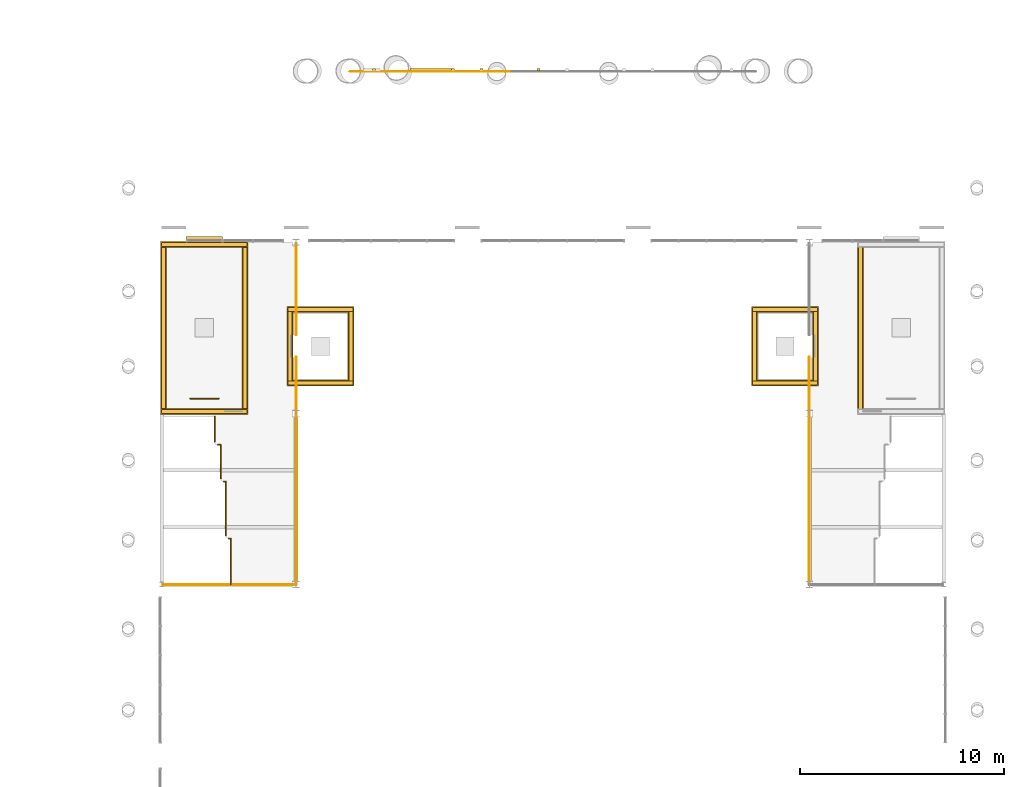
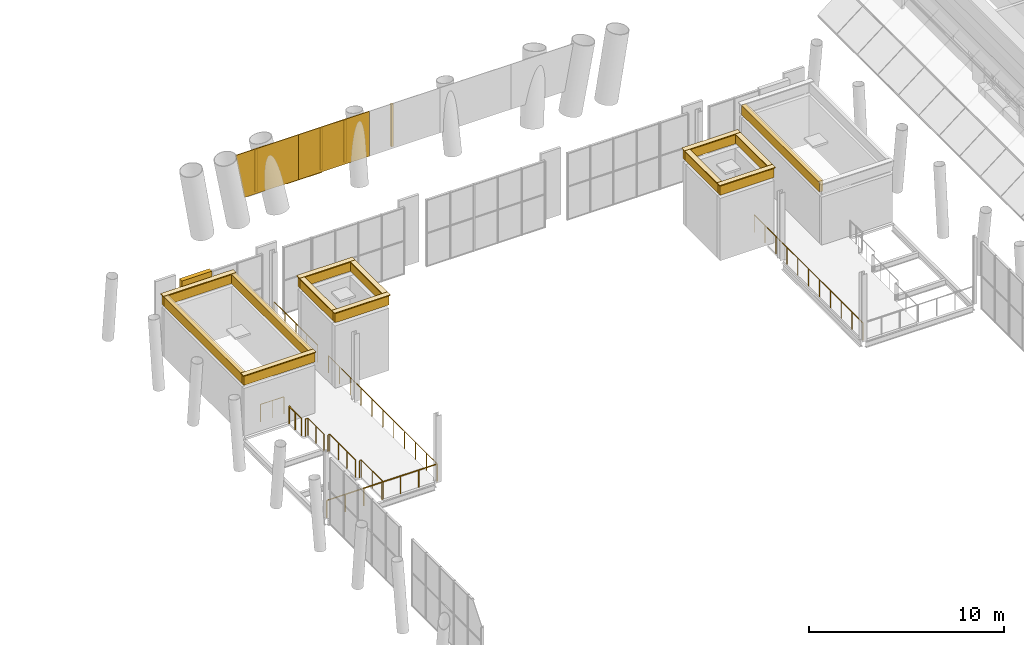
# One storey, part 66 of 76: 34 coverings, 9 railings.
"""IFC4 building model written with IfcOpenShell, lengths in metres."""

from ifc_helpers import new_model, si_unit, direction, frame, origin, origin_2d, place, context, subcontext, project, spatial, polyline, rectangle, circle, outline, extrude, material, layer, layer_set, material_profile, profile_set, type_object, element, save


model = new_model("IFC4")

# Units and contexts
model_context = context("Model", 3, precision=1e-05, world=origin(), true_north=direction((0.0, 1.0)))
body_context = subcontext(model_context, "Body", "Model", "MODEL_VIEW")
ifc_project = project(units=[si_unit("LENGTHUNIT", "METRE"), si_unit("AREAUNIT", "SQUARE_METRE"), si_unit("VOLUMEUNIT", "CUBIC_METRE"), si_unit("PLANEANGLEUNIT", "RADIAN"), si_unit("MASSUNIT", "GRAM", prefix="KILO")], contexts=[model_context])

# Site, building, storey
site_placement = place(None, origin())
site = spatial("IfcSite", under=ifc_project, at=site_placement, CompositionType="ELEMENT")
building_placement = place(site_placement, origin())
building = spatial("IfcBuilding", under=site, at=building_placement, Name="Sava Quay Ferry Terminal", CompositionType="ELEMENT")
storey_placement = place(building_placement, frame((0.0, 0.0, 10.800048828125)))
storey = spatial("IfcBuildingStorey", under=building, at=storey_placement, Name="L02", CompositionType="ELEMENT", Elevation=10.800048828125)

# Covering
ifc_material_1 = material(Name="Copper patinated")
ifc_layer_1 = layer(ifc_material_1, 0.25)
ifc_layer_set_1 = layer_set([ifc_layer_1], Name="Copper patinated")
covering_type_1 = type_object("IfcCoveringType", Name="Copper spandrel panel 250", PredefinedType="CLADDING", material=ifc_layer_set_1)
covering_1_placement = place(storey_placement, frame((45.0, 100.9599609375, 3.449951171875), z_axis=(0.0, 0.0, 1.0), x_axis=(1.0, 0.0, 0.0)))
element("IfcCovering", 1, at=covering_1_placement, inside=storey, type_object=covering_type_1, Name="Spandrel panel D-N", PredefinedType="CLADDING", context=body_context, shape_type="SweptSolid", body=[
    extrude(outline(polyline([(0.0, 0.0), (1.780029296875, 0.0), (1.780029296875, 0.75), (0.0, 0.75), (0.0, 0.0)])), frame((0.0, 0.125, 0.0), z_axis=(0.0, -1.0, 0.0), x_axis=(1.0, 0.0, 0.0)), (0.0, 0.0, 1.0), 0.25),
])

# Railings
ifc_material_2 = material(Name="Steel S355", Category="steel")
railing_type = type_object("IfcRailingType", Name="Guard 1100", PredefinedType="GUARDRAIL", material=ifc_material_2)
railing_1_placement = place(storey_placement, frame((45.199951171875, 93.1298828125, 0.0)))
element("IfcRailing", 2, at=railing_1_placement, inside=storey, type_object=railing_type, Name="Guard at stair well ST-D5 L02", PredefinedType="GUARDRAIL", context=body_context, shape_type="SweptSolid", body=[
    extrude(circle(Radius=0.02392578125, at=origin_2d()), frame((0.0, 0.0, 1.076171875), z_axis=(1.0, 0.0, 0.0), x_axis=(0.0, 1.0, 0.0)), (0.0, 0.0, 1.0), 1.400146484375),
    extrude(circle(Radius=0.02099609375, at=origin_2d()), origin(), (0.0, 0.0, 1.0), 1.052001953125),
    extrude(circle(Radius=0.02099609375, at=origin_2d()), frame((0.7001953125, 0.0, 0.0)), (0.0, 0.0, 1.0), 1.052001953125),
    extrude(circle(Radius=0.02099609375, at=origin_2d()), frame((1.400146484375, 0.0, 0.0)), (0.0, 0.0, 1.0), 1.052001953125),
])
railing_2_placement = place(storey_placement, frame((43.860107421875, 84.0, 0.0)))
element("IfcRailing", 3, at=railing_2_placement, inside=storey, type_object=railing_type, Name="Mezzanine guard", PredefinedType="GUARDRAIL", context=body_context, shape_type="SweptSolid", body=[
    extrude(circle(Radius=0.02392578125, at=origin_2d()), frame((0.0, 0.0, 1.076171875), z_axis=(1.0, 0.0, 0.0), x_axis=(0.0, 1.0, 0.0)), (0.0, 0.0, 1.0), 6.539794921875),
    extrude(circle(Radius=0.02099609375, at=origin_2d()), origin(), (0.0, 0.0, 1.0), 1.052001953125),
    extrude(circle(Radius=0.02099609375, at=origin_2d()), frame((1.08984375, 0.0, 0.0)), (0.0, 0.0, 1.0), 1.052001953125),
    extrude(circle(Radius=0.02099609375, at=origin_2d()), frame((2.179931640625, 0.0, 0.0)), (0.0, 0.0, 1.0), 1.052001953125),
    extrude(circle(Radius=0.02099609375, at=origin_2d()), frame((3.27001953125, 0.0, 0.0)), (0.0, 0.0, 1.0), 1.052001953125),
    extrude(circle(Radius=0.02099609375, at=origin_2d()), frame((4.35986328125, 0.0, 0.0)), (0.0, 0.0, 1.0), 1.052001953125),
    extrude(circle(Radius=0.02099609375, at=origin_2d()), frame((5.44970703125, 0.0, 0.0)), (0.0, 0.0, 1.0), 1.052001953125),
    extrude(circle(Radius=0.02099609375, at=origin_2d()), frame((6.539794921875, 0.0, 0.0)), (0.0, 0.0, 1.0), 1.052001953125),
])
railing_3_placement = place(storey_placement, frame((50.39990234375, 84.0, 0.0)))
element("IfcRailing", 4, at=railing_3_placement, inside=storey, type_object=railing_type, Name="Mezzanine guard", PredefinedType="GUARDRAIL", context=body_context, shape_type="SweptSolid", body=[
    extrude(circle(Radius=0.02392578125, at=origin_2d()), frame((0.0, 0.0, 1.076171875), z_axis=(0.0, 1.0, 0.0), x_axis=(-1.0, 0.0, 0.0)), (0.0, 0.0, 1.0), 11.14990234375),
    extrude(circle(Radius=0.02099609375, at=origin_2d()), origin(), (0.0, 0.0, 1.0), 1.052001953125),
    extrude(circle(Radius=0.02099609375, at=origin_2d()), frame((0.0, 1.114990234375, 0.0)), (0.0, 0.0, 1.0), 1.052001953125),
    extrude(circle(Radius=0.02099609375, at=origin_2d()), frame((0.0, 2.22998046875, 0.0)), (0.0, 0.0, 1.0), 1.052001953125),
    extrude(circle(Radius=0.02099609375, at=origin_2d()), frame((0.0, 3.344970703125, 0.0)), (0.0, 0.0, 1.0), 1.052001953125),
    extrude(circle(Radius=0.02099609375, at=origin_2d()), frame((0.0, 4.4599609375, 0.0)), (0.0, 0.0, 1.0), 1.052001953125),
    extrude(circle(Radius=0.02099609375, at=origin_2d()), frame((0.0, 5.574951171875, 0.0)), (0.0, 0.0, 1.0), 1.052001953125),
    extrude(circle(Radius=0.02099609375, at=origin_2d()), frame((0.0, 6.68994140625, 0.0)), (0.0, 0.0, 1.0), 1.052001953125),
    extrude(circle(Radius=0.02099609375, at=origin_2d()), frame((0.0, 7.804931640625, 0.0)), (0.0, 0.0, 1.0), 1.052001953125),
    extrude(circle(Radius=0.02099609375, at=origin_2d()), frame((0.0, 8.919921875, 0.0)), (0.0, 0.0, 1.0), 1.052001953125),
    extrude(circle(Radius=0.02099609375, at=origin_2d()), frame((0.0, 10.034912109375, 0.0)), (0.0, 0.0, 1.0), 1.052001953125),
    extrude(circle(Radius=0.02099609375, at=origin_2d()), frame((0.0, 11.14990234375, 0.0)), (0.0, 0.0, 1.0), 1.052001953125),
])
railing_4_placement = place(storey_placement, frame((50.39990234375, 96.25, 0.0)))
element("IfcRailing", 5, at=railing_4_placement, inside=storey, type_object=railing_type, Name="Mezzanine guard", PredefinedType="GUARDRAIL", context=body_context, shape_type="SweptSolid", body=[
    extrude(circle(Radius=0.02392578125, at=origin_2d()), frame((0.0, 0.0, 1.076171875), z_axis=(0.0, 1.0, 0.0), x_axis=(-1.0, 0.0, 0.0)), (0.0, 0.0, 1.0), 4.489990234375),
    extrude(circle(Radius=0.02099609375, at=origin_2d()), origin(), (0.0, 0.0, 1.0), 1.052001953125),
    extrude(circle(Radius=0.02099609375, at=origin_2d()), frame((0.0, 1.12255859375, 0.0)), (0.0, 0.0, 1.0), 1.052001953125),
    extrude(circle(Radius=0.02099609375, at=origin_2d()), frame((0.0, 2.2451171875, 0.0)), (0.0, 0.0, 1.0), 1.052001953125),
    extrude(circle(Radius=0.02099609375, at=origin_2d()), frame((0.0, 3.367431640625, 0.0)), (0.0, 0.0, 1.0), 1.052001953125),
    extrude(circle(Radius=0.02099609375, at=origin_2d()), frame((0.0, 4.489990234375, 0.0)), (0.0, 0.0, 1.0), 1.052001953125),
])
railing_5_placement = place(storey_placement, frame((75.60009765625, 84.0, 0.0)))
element("IfcRailing", 6, at=railing_5_placement, inside=storey, type_object=railing_type, Name="Mezzanine guard", PredefinedType="GUARDRAIL", context=body_context, shape_type="SweptSolid", body=[
    extrude(circle(Radius=0.02392578125, at=origin_2d()), frame((0.0, 0.0, 1.076171875), z_axis=(0.0, 1.0, 0.0), x_axis=(-1.0, 0.0, 0.0)), (0.0, 0.0, 1.0), 11.14990234375),
    extrude(circle(Radius=0.02099609375, at=origin_2d()), origin(), (0.0, 0.0, 1.0), 1.052001953125),
    extrude(circle(Radius=0.02099609375, at=origin_2d()), frame((0.0, 1.114990234375, 0.0)), (0.0, 0.0, 1.0), 1.052001953125),
    extrude(circle(Radius=0.02099609375, at=origin_2d()), frame((0.0, 2.22998046875, 0.0)), (0.0, 0.0, 1.0), 1.052001953125),
    extrude(circle(Radius=0.02099609375, at=origin_2d()), frame((0.0, 3.344970703125, 0.0)), (0.0, 0.0, 1.0), 1.052001953125),
    extrude(circle(Radius=0.02099609375, at=origin_2d()), frame((0.0, 4.4599609375, 0.0)), (0.0, 0.0, 1.0), 1.052001953125),
    extrude(circle(Radius=0.02099609375, at=origin_2d()), frame((0.0, 5.574951171875, 0.0)), (0.0, 0.0, 1.0), 1.052001953125),
    extrude(circle(Radius=0.02099609375, at=origin_2d()), frame((0.0, 6.68994140625, 0.0)), (0.0, 0.0, 1.0), 1.052001953125),
    extrude(circle(Radius=0.02099609375, at=origin_2d()), frame((0.0, 7.804931640625, 0.0)), (0.0, 0.0, 1.0), 1.052001953125),
    extrude(circle(Radius=0.02099609375, at=origin_2d()), frame((0.0, 8.919921875, 0.0)), (0.0, 0.0, 1.0), 1.052001953125),
    extrude(circle(Radius=0.02099609375, at=origin_2d()), frame((0.0, 10.034912109375, 0.0)), (0.0, 0.0, 1.0), 1.052001953125),
    extrude(circle(Radius=0.02099609375, at=origin_2d()), frame((0.0, 11.14990234375, 0.0)), (0.0, 0.0, 1.0), 1.052001953125),
])
railing_6_placement = place(storey_placement, frame((47.199951171875, 84.0, 0.0)))
element("IfcRailing", 7, at=railing_6_placement, inside=storey, type_object=railing_type, Name="Mezzanine guard", PredefinedType="GUARDRAIL", context=body_context, shape_type="SweptSolid", body=[
    extrude(circle(Radius=0.02392578125, at=origin_2d()), frame((0.0, 0.0, 1.076171875), z_axis=(0.0, 1.0, 0.0), x_axis=(-1.0, 0.0, 0.0)), (0.0, 0.0, 1.0), 2.25),
    extrude(circle(Radius=0.02392578125, at=origin_2d()), frame((0.0, 2.25, 1.076171875), z_axis=(-1.0, 0.0, 0.0), x_axis=(0.0, -1.0, 0.0)), (0.0, 0.0, 1.0), 0.099853515625),
    extrude(circle(Radius=0.02099609375, at=origin_2d()), origin(), (0.0, 0.0, 1.0), 1.052001953125),
    extrude(circle(Radius=0.02099609375, at=origin_2d()), frame((0.0, 1.125, 0.0)), (0.0, 0.0, 1.0), 1.052001953125),
    extrude(circle(Radius=0.02099609375, at=origin_2d()), frame((0.0, 2.25, 0.0)), (0.0, 0.0, 1.0), 1.052001953125),
    extrude(circle(Radius=0.02099609375, at=origin_2d()), frame((-0.099853515625, 2.25, 0.0)), (0.0, 0.0, 1.0), 1.052001953125),
])
railing_7_placement = place(storey_placement, frame((46.949951171875, 86.39990234375, 0.0)))
element("IfcRailing", 8, at=railing_7_placement, inside=storey, type_object=railing_type, Name="Mezzanine guard", PredefinedType="GUARDRAIL", context=body_context, shape_type="SweptSolid", body=[
    extrude(circle(Radius=0.02392578125, at=origin_2d()), frame((0.0, 0.0, 1.076171875), z_axis=(0.0, 1.0, 0.0), x_axis=(-1.0, 0.0, 0.0)), (0.0, 0.0, 1.0), 2.650146484375),
    extrude(circle(Radius=0.02392578125, at=origin_2d()), frame((0.0, 2.650146484375, 1.076171875), z_axis=(-1.0, 0.0, 0.0), x_axis=(0.0, -1.0, 0.0)), (0.0, 0.0, 1.0), 0.099853515625),
    extrude(circle(Radius=0.02099609375, at=origin_2d()), origin(), (0.0, 0.0, 1.0), 1.052001953125),
    extrude(circle(Radius=0.02099609375, at=origin_2d()), frame((0.0, 0.88330078125, 0.0)), (0.0, 0.0, 1.0), 1.052001953125),
    extrude(circle(Radius=0.02099609375, at=origin_2d()), frame((0.0, 1.766845703125, 0.0)), (0.0, 0.0, 1.0), 1.052001953125),
    extrude(circle(Radius=0.02099609375, at=origin_2d()), frame((0.0, 2.650146484375, 0.0)), (0.0, 0.0, 1.0), 1.052001953125),
    extrude(circle(Radius=0.02099609375, at=origin_2d()), frame((-0.099853515625, 2.650146484375, 0.0)), (0.0, 0.0, 1.0), 1.052001953125),
])
railing_8_placement = place(storey_placement, frame((46.699951171875, 89.199951171875, 0.0)))
element("IfcRailing", 9, at=railing_8_placement, inside=storey, type_object=railing_type, Name="Mezzanine guard", PredefinedType="GUARDRAIL", context=body_context, shape_type="SweptSolid", body=[
    extrude(circle(Radius=0.02392578125, at=origin_2d()), frame((0.0, 0.0, 1.076171875), z_axis=(0.0, 1.0, 0.0), x_axis=(-1.0, 0.0, 0.0)), (0.0, 0.0, 1.0), 1.650146484375),
    extrude(circle(Radius=0.02392578125, at=origin_2d()), frame((0.0, 1.650146484375, 1.076171875), z_axis=(-1.0, 0.0, 0.0), x_axis=(0.0, -1.0, 0.0)), (0.0, 0.0, 1.0), 0.14990234375),
    extrude(circle(Radius=0.02099609375, at=origin_2d()), origin(), (0.0, 0.0, 1.0), 1.052001953125),
    extrude(circle(Radius=0.02099609375, at=origin_2d()), frame((0.0, 0.8251953125, 0.0)), (0.0, 0.0, 1.0), 1.052001953125),
    extrude(circle(Radius=0.02099609375, at=origin_2d()), frame((0.0, 1.650146484375, 0.0)), (0.0, 0.0, 1.0), 1.052001953125),
    extrude(circle(Radius=0.02099609375, at=origin_2d()), frame((-0.14990234375, 1.650146484375, 0.0)), (0.0, 0.0, 1.0), 1.052001953125),
])
railing_9_placement = place(storey_placement, frame((46.39990234375, 91.0, 0.0)))
element("IfcRailing", 10, at=railing_9_placement, inside=storey, type_object=railing_type, Name="Mezzanine guard", PredefinedType="GUARDRAIL", context=body_context, shape_type="SweptSolid", body=[
    extrude(circle(Radius=0.02392578125, at=origin_2d()), frame((0.0, 0.0, 1.076171875), z_axis=(0.0, 1.0, 0.0), x_axis=(-1.0, 0.0, 0.0)), (0.0, 0.0, 1.0), 1.25),
    extrude(circle(Radius=0.02099609375, at=origin_2d()), origin(), (0.0, 0.0, 1.0), 1.052001953125),
    extrude(circle(Radius=0.02099609375, at=origin_2d()), frame((0.0, 0.625, 0.0)), (0.0, 0.0, 1.0), 1.052001953125),
    extrude(circle(Radius=0.02099609375, at=origin_2d()), frame((0.0, 1.25, 0.0)), (0.0, 0.0, 1.0), 1.052001953125),
])

# Coverings
ifc_material_3 = material(Name="Limestone Mutalj", Category="masonry")
ifc_layer_2 = layer(ifc_material_3, 0.050048828125)
ifc_layer_set_2 = layer_set([ifc_layer_2], Name="Limestone Mutalj")
covering_type_2 = type_object("IfcCoveringType", Name="Overrun coping 300", PredefinedType="MOLDING", material=ifc_layer_set_2)
for number, where, z_axis, x_axis, name in (
    (11, (45.89990234375, 92.5, 3.7998046875), (0.0, 0.0, 1.0), (1.0, 0.0, 0.0), "Overrun coping ST-D5 S"),
    (12, (45.89990234375, 100.699951171875, 3.7998046875), (0.0, 0.0, 1.0), (1.0, 0.0, 0.0), "Overrun coping ST-D5 N"),
):
    element("IfcCovering", number, at=place(storey_placement, frame(where, z_axis=z_axis, x_axis=x_axis)), inside=storey, type_object=covering_type_2, Name=name, PredefinedType="MOLDING", context=body_context, shape_type="SweptSolid", body=[
        extrude(rectangle(XDim=4.300048828125, YDim=0.300048828125, at=origin_2d()), origin(), (0.0, 0.0, 1.0), 0.050048828125),
    ])
for number, where, z_axis, x_axis, name in (
    (13, (43.89990234375, 96.60009765625, 3.7998046875), (0.0, 0.0, 1.0), (1.0, 0.0, 0.0), "Overrun coping ST-D5 W"),
    (14, (47.89990234375, 96.60009765625, 3.7998046875), (0.0, 0.0, 1.0), (1.0, 0.0, 0.0), "Overrun coping ST-D5 E"),
    (15, (78.10009765625, 96.60009765625, 3.7998046875), (0.0, 0.0, 1.0), (1.0, 0.0, 0.0), "Overrun coping ST-D6 W"),
):
    element("IfcCovering", number, at=place(storey_placement, frame(where, z_axis=z_axis, x_axis=x_axis)), inside=storey, type_object=covering_type_2, Name=name, PredefinedType="MOLDING", context=body_context, shape_type="SweptSolid", body=[
        extrude(rectangle(XDim=0.300048828125, YDim=7.89990234375, at=origin_2d()), origin(), (0.0, 0.0, 1.0), 0.050048828125),
    ])
for number, where, z_axis, x_axis, name in (
    (16, (51.60009765625, 93.89990234375, 4.69970703125), (0.0, 0.0, 1.0), (1.0, 0.0, 0.0), "Overrun coping LF-D2 S"),
    (17, (51.60009765625, 97.5, 4.69970703125), (0.0, 0.0, 1.0), (1.0, 0.0, 0.0), "Overrun coping LF-D2 N"),
):
    element("IfcCovering", number, at=place(storey_placement, frame(where, z_axis=z_axis, x_axis=x_axis)), inside=storey, type_object=covering_type_2, Name=name, PredefinedType="MOLDING", context=body_context, shape_type="SweptSolid", body=[
        extrude(rectangle(XDim=3.300048828125, YDim=0.300048828125, at=origin_2d()), origin(), (0.0, 0.0, 1.0), 0.050048828125),
    ])
for number, where, z_axis, x_axis, name in (
    (18, (50.10009765625, 95.699951171875, 4.69970703125), (0.0, 0.0, 1.0), (1.0, 0.0, 0.0), "Overrun coping LF-D2 W"),
    (19, (53.10009765625, 95.699951171875, 4.69970703125), (0.0, 0.0, 1.0), (1.0, 0.0, 0.0), "Overrun coping LF-D2 E"),
):
    element("IfcCovering", number, at=place(storey_placement, frame(where, z_axis=z_axis, x_axis=x_axis)), inside=storey, type_object=covering_type_2, Name=name, PredefinedType="MOLDING", context=body_context, shape_type="SweptSolid", body=[
        extrude(rectangle(XDim=0.300048828125, YDim=3.300048828125, at=origin_2d()), origin(), (0.0, 0.0, 1.0), 0.050048828125),
    ])
for number, where, z_axis, x_axis, name in (
    (20, (74.39990234375, 93.89990234375, 4.69970703125), (0.0, 0.0, 1.0), (1.0, 0.0, 0.0), "Overrun coping LF-D3 S"),
    (21, (74.39990234375, 97.5, 4.69970703125), (0.0, 0.0, 1.0), (1.0, 0.0, 0.0), "Overrun coping LF-D3 N"),
):
    element("IfcCovering", number, at=place(storey_placement, frame(where, z_axis=z_axis, x_axis=x_axis)), inside=storey, type_object=covering_type_2, Name=name, PredefinedType="MOLDING", context=body_context, shape_type="SweptSolid", body=[
        extrude(rectangle(XDim=3.300048828125, YDim=0.300048828125, at=origin_2d()), origin(), (0.0, 0.0, 1.0), 0.050048828125),
    ])
for number, where, z_axis, x_axis, name in (
    (22, (72.89990234375, 95.699951171875, 4.69970703125), (0.0, 0.0, 1.0), (1.0, 0.0, 0.0), "Overrun coping LF-D3 W"),
    (23, (75.89990234375, 95.699951171875, 4.69970703125), (0.0, 0.0, 1.0), (1.0, 0.0, 0.0), "Overrun coping LF-D3 E"),
):
    element("IfcCovering", number, at=place(storey_placement, frame(where, z_axis=z_axis, x_axis=x_axis)), inside=storey, type_object=covering_type_2, Name=name, PredefinedType="MOLDING", context=body_context, shape_type="SweptSolid", body=[
        extrude(rectangle(XDim=0.300048828125, YDim=3.300048828125, at=origin_2d()), origin(), (0.0, 0.0, 1.0), 0.050048828125),
    ])
ifc_material_4 = material(Name="Limestone Mutalj", Category="masonry")
ifc_layer_3 = layer(ifc_material_4, 0.199951171875)
ifc_layer_set_3 = layer_set([ifc_layer_3], Name="Limestone Mutalj")
covering_type_3 = type_object("IfcCoveringType", Name="Overrun parapet 200", PredefinedType="MOLDING", material=ifc_layer_set_3)
for number, where, z_axis, x_axis, name in (
    (24, (45.89990234375, 92.5, 3.199951171875), (0.0, 0.0, 1.0), (1.0, 0.0, 0.0), "Overrun parapet ST-D5 S"),
    (25, (45.89990234375, 100.699951171875, 3.199951171875), (0.0, 0.0, 1.0), (1.0, 0.0, 0.0), "Overrun parapet ST-D5 N"),
):
    element("IfcCovering", number, at=place(storey_placement, frame(where, z_axis=z_axis, x_axis=x_axis)), inside=storey, type_object=covering_type_3, Name=name, PredefinedType="MOLDING", context=body_context, shape_type="SweptSolid", body=[
        extrude(rectangle(XDim=4.199951171875, YDim=0.199951171875, at=origin_2d()), origin(), (0.0, 0.0, 1.0), 0.60009765625),
    ])
for number, where, z_axis, x_axis, name in (
    (26, (43.89990234375, 96.60009765625, 3.199951171875), (0.0, 0.0, 1.0), (1.0, 0.0, 0.0), "Overrun parapet ST-D5 W"),
    (27, (47.89990234375, 96.60009765625, 3.199951171875), (0.0, 0.0, 1.0), (1.0, 0.0, 0.0), "Overrun parapet ST-D5 E"),
    (28, (78.10009765625, 96.60009765625, 3.199951171875), (0.0, 0.0, 1.0), (1.0, 0.0, 0.0), "Overrun parapet ST-D6 W"),
):
    element("IfcCovering", number, at=place(storey_placement, frame(where, z_axis=z_axis, x_axis=x_axis)), inside=storey, type_object=covering_type_3, Name=name, PredefinedType="MOLDING", context=body_context, shape_type="SweptSolid", body=[
        extrude(rectangle(XDim=0.199951171875, YDim=8.0, at=origin_2d()), origin(), (0.0, 0.0, 1.0), 0.60009765625),
    ])
for number, where, z_axis, x_axis, name in (
    (29, (51.60009765625, 93.89990234375, 4.099853515625), (0.0, 0.0, 1.0), (1.0, 0.0, 0.0), "Overrun parapet LF-D2 S"),
    (30, (51.60009765625, 97.5, 4.099853515625), (0.0, 0.0, 1.0), (1.0, 0.0, 0.0), "Overrun parapet LF-D2 N"),
):
    element("IfcCovering", number, at=place(storey_placement, frame(where, z_axis=z_axis, x_axis=x_axis)), inside=storey, type_object=covering_type_3, Name=name, PredefinedType="MOLDING", context=body_context, shape_type="SweptSolid", body=[
        extrude(rectangle(XDim=3.199951171875, YDim=0.199951171875, at=origin_2d()), origin(), (0.0, 0.0, 1.0), 0.60009765625),
    ])
for number, where, z_axis, x_axis, name in (
    (31, (50.10009765625, 95.699951171875, 4.099853515625), (0.0, 0.0, 1.0), (1.0, 0.0, 0.0), "Overrun parapet LF-D2 W"),
    (32, (53.10009765625, 95.699951171875, 4.099853515625), (0.0, 0.0, 1.0), (1.0, 0.0, 0.0), "Overrun parapet LF-D2 E"),
):
    element("IfcCovering", number, at=place(storey_placement, frame(where, z_axis=z_axis, x_axis=x_axis)), inside=storey, type_object=covering_type_3, Name=name, PredefinedType="MOLDING", context=body_context, shape_type="SweptSolid", body=[
        extrude(rectangle(XDim=0.199951171875, YDim=3.39990234375, at=origin_2d()), origin(), (0.0, 0.0, 1.0), 0.60009765625),
    ])
for number, where, z_axis, x_axis, name in (
    (33, (74.39990234375, 93.89990234375, 4.099853515625), (0.0, 0.0, 1.0), (1.0, 0.0, 0.0), "Overrun parapet LF-D3 S"),
    (34, (74.39990234375, 97.5, 4.099853515625), (0.0, 0.0, 1.0), (1.0, 0.0, 0.0), "Overrun parapet LF-D3 N"),
):
    element("IfcCovering", number, at=place(storey_placement, frame(where, z_axis=z_axis, x_axis=x_axis)), inside=storey, type_object=covering_type_3, Name=name, PredefinedType="MOLDING", context=body_context, shape_type="SweptSolid", body=[
        extrude(rectangle(XDim=3.199951171875, YDim=0.199951171875, at=origin_2d()), origin(), (0.0, 0.0, 1.0), 0.60009765625),
    ])
for number, where, z_axis, x_axis, name in (
    (35, (72.89990234375, 95.699951171875, 4.099853515625), (0.0, 0.0, 1.0), (1.0, 0.0, 0.0), "Overrun parapet LF-D3 W"),
    (36, (75.89990234375, 95.699951171875, 4.099853515625), (0.0, 0.0, 1.0), (1.0, 0.0, 0.0), "Overrun parapet LF-D3 E"),
):
    element("IfcCovering", number, at=place(storey_placement, frame(where, z_axis=z_axis, x_axis=x_axis)), inside=storey, type_object=covering_type_3, Name=name, PredefinedType="MOLDING", context=body_context, shape_type="SweptSolid", body=[
        extrude(rectangle(XDim=0.199951171875, YDim=3.39990234375, at=origin_2d()), origin(), (0.0, 0.0, 1.0), 0.60009765625),
    ])
ifc_material_5 = material(Name="Laminated glass", Category="glass")
ifc_layer_4 = layer(ifc_material_5, 0.0400390625)
ifc_layer_set_4 = layer_set([ifc_layer_4], Name="Laminated glass")
covering_type_4 = type_object("IfcCoveringType", Name="Prow end glazing 40", PredefinedType="CLADDING", material=ifc_layer_set_4)
covering_2_placement = place(storey_placement, frame((52.999267578125, 109.199951171875, 4.20654296875), z_axis=(0.0, 1.0, 0.0), x_axis=(1.0, 0.0, 0.0)))
element("IfcCovering", 37, at=covering_2_placement, inside=storey, type_object=covering_type_4, Name="Departure hall prow end glazing panel 6", PredefinedType="CLADDING", context=body_context, shape_type="SweptSolid", body=[
    extrude(outline(polyline([(0.0, 0.0), (3.70068359375, 0.0), (3.70068359375, 2.813232421875), (0.51611328125, 2.813232421875), (0.0, 0.0)])), origin(), (0.0, 0.0, -1.0), 0.0400390625),
])
covering_3_placement = place(storey_placement, frame((56.699951171875, 109.199951171875, 1.393310546875), z_axis=(0.0, 1.0, 0.0), x_axis=(0.0, 0.0, 1.0)))
element("IfcCovering", 38, at=covering_3_placement, inside=storey, type_object=covering_type_4, Name="Departure hall prow end glazing panel 7", PredefinedType="CLADDING", context=body_context, shape_type="SweptSolid", body=[
    extrude(outline(polyline([(0.0, 0.0), (2.813232421875, 0.0), (2.813232421875, 4.199951171875), (0.0, 4.199951171875), (0.0, 0.0)])), origin(), (0.0, 0.0, -1.0), 0.0400390625),
])
ifc_material_6 = material(Name="Steel S355", Category="steel")
ifc_material_profile = material_profile(ifc_material_6, rectangle(XDim=0.139892578125, YDim=0.1201171875, at=origin_2d()), Name="Strip 140 x 120")
ifc_profile_set = profile_set([ifc_material_profile], Name="Steel S355")
covering_type_5 = type_object("IfcCoveringType", Name="Prow glazing bar 140 x 120", PredefinedType="CLADDING", material=ifc_profile_set)
for number, where, z_axis, x_axis, name in (
    (39, (54.23291015625, 109.260009765625, 1.4833984375), (0.0, 0.0, 1.0), (1.0, 0.0, 0.0), "Prow glazing bar"),
    (40, (59.5, 109.260009765625, 1.4833984375), (0.0, 0.0, 1.0), (1.0, 0.0, 0.0), "Prow glazing bar"),
    (41, (58.099853515625, 109.260009765625, 1.4833984375), (0.0, 0.0, 1.0), (1.0, 0.0, 0.0), "Prow glazing bar"),
    (42, (62.300048828125, 109.260009765625, 1.4833984375), (0.0, 0.0, 1.0), (1.0, 0.0, 0.0), "Prow glazing bar"),
):
    element("IfcCovering", number, at=place(storey_placement, frame(where, z_axis=z_axis, x_axis=x_axis)), inside=storey, type_object=covering_type_5, Name=name, PredefinedType="CLADDING", context=body_context, shape_type="SweptSolid", body=[
        extrude(rectangle(XDim=0.139892578125, YDim=0.1201171875, at=origin_2d()), origin(), (0.0, 0.0, 1.0), 2.633056640625),
    ])
covering_4_placement = place(storey_placement, frame((58.131591796875, 109.260009765625, 1.393310546875), z_axis=(-1.0, 0.0, 0.0), x_axis=(0.0, 0.0, 1.0)))
element("IfcCovering", 43, at=covering_4_placement, inside=storey, type_object=covering_type_5, Name="Prow glazing bar", PredefinedType="CLADDING", context=body_context, shape_type="SweptSolid", body=[
    extrude(rectangle(XDim=0.139892578125, YDim=0.1201171875, at=origin_2d()), origin(), (0.0, 0.0, 1.0), 2.107421875),
])

save(model, "model.ifc")
